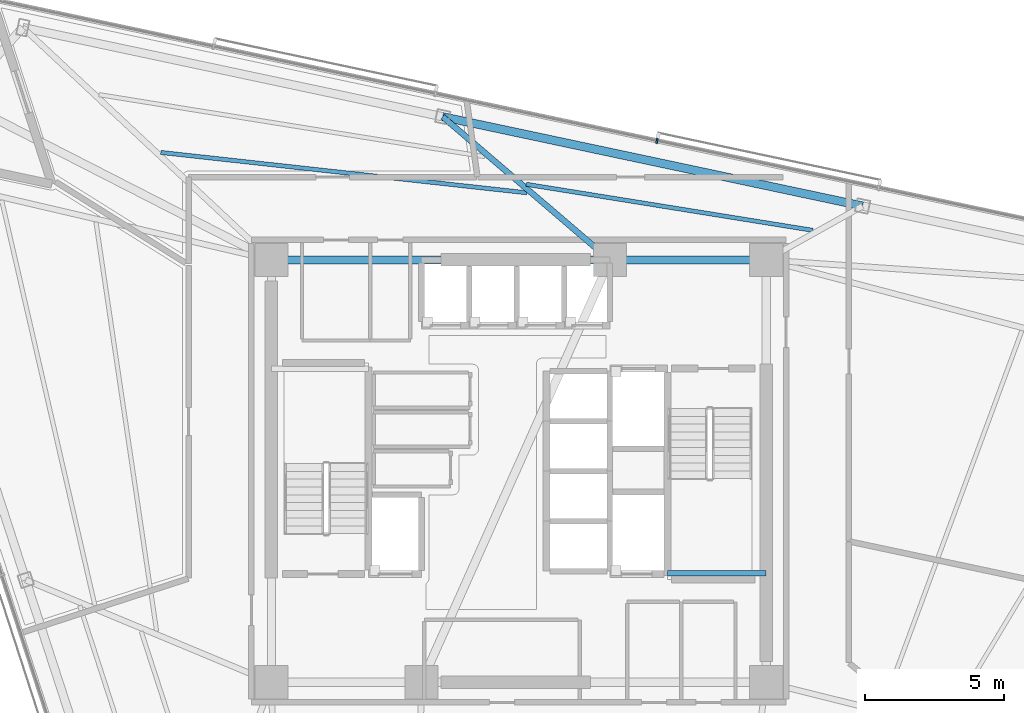
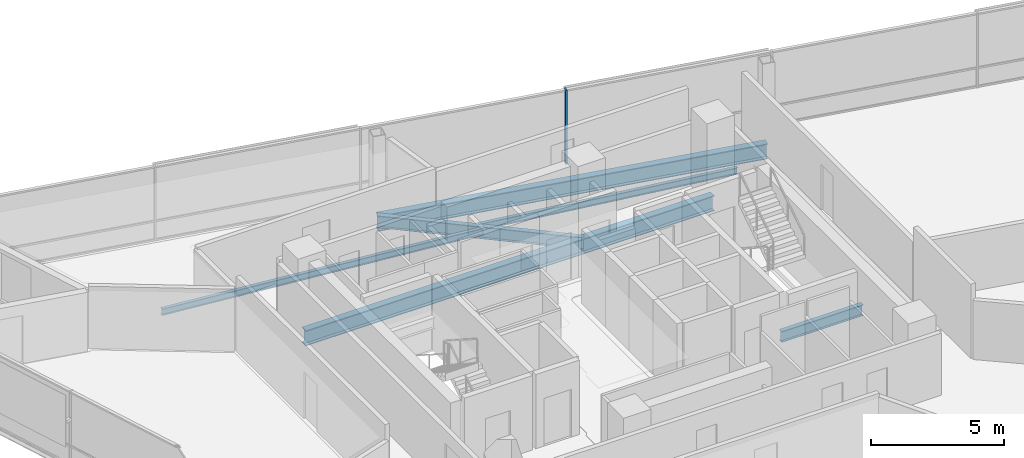
# One storey, part 6 of 17: 7 beams, 1 member, 1 element without a shape of its own.
"""IFC4 building model written with IfcOpenShell, lengths in metres."""

from ifc_helpers import new_model, si_unit, direction, frame, origin, origin_2d, place, context, subcontext, project, spatial, rectangle, i_section, extrude, material, layer, layer_set, material_profile, profile_set, type_object, element, aggregate, save


model = new_model("IFC4")

# Units and contexts
model_context = context("Model", 3, precision=1e-05, world=origin(), true_north=direction((0.0, 1.0)))
body_context = subcontext(model_context, "Body", "Model", "MODEL_VIEW")
ifc_project = project(units=[si_unit("LENGTHUNIT", "METRE"), si_unit("AREAUNIT", "SQUARE_METRE"), si_unit("VOLUMEUNIT", "CUBIC_METRE"), si_unit("PLANEANGLEUNIT", "RADIAN"), si_unit("MASSUNIT", "GRAM", prefix="KILO")], contexts=[model_context])

# Site, building, storey
site_placement = place(None, origin())
site = spatial("IfcSite", under=ifc_project, at=site_placement, CompositionType="ELEMENT")
building_placement = place(site_placement, origin())
building = spatial("IfcBuilding", under=site, at=building_placement, Name="Tharavind Bronze Gate", CompositionType="ELEMENT")
storey_placement = place(building_placement, frame((0.0, 0.0, 207.64990234375)))
storey = spatial("IfcBuildingStorey", under=building, at=storey_placement, Name="L53", CompositionType="ELEMENT", Elevation=207.64990234375)

# Curtain wall, member
ifc_material_1 = material(Name="Anodised Bronze Aluminium", Category="aluminium")
ifc_layer = layer(ifc_material_1, 0.219970703125)
ifc_layer_set = layer_set([ifc_layer], Name="Anodised Bronze Aluminium")
curtain_wall_type = type_object("IfcCurtainWallType", Name="UNITISED CURTAIN WALL MID OFFICE", PredefinedType="USERDEFINED", material=ifc_layer_set)
curtain_wall_placement = place(storey_placement, origin())
curtain_wall = element("IfcCurtainWall", 1, at=curtain_wall_placement, inside=storey, type_object=curtain_wall_type, Name="L53 unitised curtain wall mid office CW-L53-S3", ObjectType="UNITISED CURTAIN WALL", PredefinedType="USERDEFINED")
member_type = type_object("IfcMemberType", Name="CURTAIN WALL BRONZE MULLION 65X180", PredefinedType="MULLION", material=ifc_material_1)
member_placement = place(storey_placement, frame((4.97265625, 11.880615234375, 0.000244140625), z_axis=(0.0, 0.0, 1.0), x_axis=(-0.978147600734, 0.207911690818, 0.0)))
member = element("IfcMember", 2, at=member_placement, type_object=member_type, Name="CW-L53-S3 mullion 4", PredefinedType="MULLION", context=body_context, shape_type="SweptSolid", body=[
    extrude(rectangle(XDim=0.06494140625, YDim=0.179931640625, at=origin_2d()), origin(), (0.0, 0.0, 1.0), 3.419921875),
])
aggregate(curtain_wall, [member])

# Beams
ifc_material_2 = material(Name="Steel S355", Category="steel")
ifc_material_profile_1 = material_profile(ifc_material_2, i_section(OverallWidth=0.199951171875, OverallDepth=0.5, WebThickness=0.01025390625, FlangeThickness=0.01611328125, at=origin_2d()), Name="IPE500")
ifc_profile_set_1 = profile_set([ifc_material_profile_1], Name="Steel S355")
beam_type_1 = type_object("IfcBeamType", Name="PRIMARY GIRDER IPE500", PredefinedType="USERDEFINED", material=ifc_profile_set_1)
beam_1_placement = place(storey_placement, frame((5.35009765625, -3.679931640625, 1.35009765625), z_axis=(1.0, 0.0, 0.0), x_axis=(0.0, 1.0, 0.0)))
element("IfcBeam", 3, at=beam_1_placement, inside=storey, type_object=beam_type_1, Name="L53 primary girder ipe500 BM-LD-ST2-L53-1", ObjectType="GIRDER", PredefinedType="USERDEFINED", context=body_context, shape_type="SweptSolid", body=[
    extrude(i_section(OverallWidth=0.199951171875, OverallDepth=0.5, WebThickness=0.01025390625, FlangeThickness=0.01611328125, at=origin_2d()), origin(), (0.0, 0.0, 1.0), 3.5498046875),
])
ifc_material_profile_2 = material_profile(ifc_material_2, i_section(OverallWidth=0.2099609375, OverallDepth=0.550048828125, WebThickness=0.010986328125, FlangeThickness=0.01708984375, at=origin_2d()), Name="IPE550")
ifc_profile_set_2 = profile_set([ifc_material_profile_2], Name="Steel S355")
beam_type_2 = type_object("IfcBeamType", Name="PRIMARY GIRDER IPE550", PredefinedType="USERDEFINED", material=ifc_profile_set_2)
beam_2_placement = place(storey_placement, frame((-2.737060546875, 12.752685546875, -0.454833984375), z_axis=(0.75956325699, -0.650433439048, 0.0), x_axis=(0.650433439048, 0.75956325699, 0.0)))
element("IfcBeam", 4, at=beam_2_placement, inside=storey, type_object=beam_type_2, Name="L53 primary girder ipe550 BM-L53-RAD11", ObjectType="GIRDER", PredefinedType="USERDEFINED", context=body_context, shape_type="SweptSolid", body=[
    extrude(i_section(OverallWidth=0.2099609375, OverallDepth=0.550048828125, WebThickness=0.010986328125, FlangeThickness=0.01708984375, at=origin_2d()), origin(), (0.0, 0.0, 1.0), 7.921875),
])
ifc_material_profile_3 = material_profile(ifc_material_2, i_section(OverallWidth=0.300048828125, OverallDepth=0.699951171875, WebThickness=0.01708984375, FlangeThickness=0.031982421875, at=origin_2d()), Name="HE700B")
ifc_profile_set_3 = profile_set([ifc_material_profile_3], Name="Steel S355")
beam_type_3 = type_object("IfcBeamType", Name="RING GIRDER HE700B", PredefinedType="USERDEFINED", material=ifc_profile_set_3)
beam_3_placement = place(storey_placement, frame((8.89990234375, 7.60009765625, -0.52978515625), z_axis=(-1.0, 0.0, 0.0), x_axis=(0.0, -1.0, 0.0)))
element("IfcBeam", 5, at=beam_3_placement, inside=storey, type_object=beam_type_3, Name="L53 ring girder he700b BM-L53-CR4", ObjectType="GIRDER", PredefinedType="USERDEFINED", context=body_context, shape_type="SweptSolid", body=[
    extrude(i_section(OverallWidth=0.300048828125, OverallDepth=0.699951171875, WebThickness=0.01708984375, FlangeThickness=0.031982421875, at=origin_2d()), origin(), (0.0, 0.0, 1.0), 5.619873046875),
])
beam_4_placement = place(storey_placement, frame((3.280029296875, 7.60009765625, -0.52978515625), z_axis=(-1.0, 0.0, 0.0), x_axis=(0.0, -1.0, 0.0)))
element("IfcBeam", 6, at=beam_4_placement, inside=storey, type_object=beam_type_3, Name="L53 ring girder he700b BM-L53-CR5", ObjectType="GIRDER", PredefinedType="USERDEFINED", context=body_context, shape_type="SweptSolid", body=[
    extrude(i_section(OverallWidth=0.300048828125, OverallDepth=0.699951171875, WebThickness=0.01708984375, FlangeThickness=0.031982421875, at=origin_2d()), origin(), (0.0, 0.0, 1.0), 12.179931640625),
])
beam_5_placement = place(storey_placement, frame((12.370849609375, 9.54150390625, -0.52978515625), z_axis=(-0.978148967388, 0.207905261111, 0.0), x_axis=(-0.207905261111, -0.978148967388, 0.0)))
element("IfcBeam", 7, at=beam_5_placement, inside=storey, type_object=beam_type_3, Name="L53 ring girder he700b BM-L53-PRG10", ObjectType="GIRDER", PredefinedType="USERDEFINED", context=body_context, shape_type="SweptSolid", body=[
    extrude(i_section(OverallWidth=0.300048828125, OverallDepth=0.699951171875, WebThickness=0.01708984375, FlangeThickness=0.031982421875, at=origin_2d()), origin(), (0.0, 0.0, 1.0), 15.4453125),
])
ifc_material_profile_4 = material_profile(ifc_material_2, i_section(OverallWidth=0.14990234375, OverallDepth=0.300048828125, WebThickness=0.007080078125, FlangeThickness=0.0107421875, at=origin_2d()), Name="IPE300")
ifc_profile_set_4 = profile_set([ifc_material_profile_4], Name="Steel S355")
beam_type_4 = type_object("IfcBeamType", Name="SECONDARY FLOOR JOIST IPE300", PredefinedType="JOIST", material=ifc_profile_set_4)
beam_6_placement = place(storey_placement, frame((10.585693359375, 8.666015625, -0.329833984375), z_axis=(-0.987341344636, 0.158609801627, 0.0), x_axis=(-0.158609801627, -0.987341344636, 0.0)))
element("IfcBeam", 8, at=beam_6_placement, inside=storey, type_object=beam_type_4, Name="L53 secondary floor joist ipe300 BM-L53-JSTA10", PredefinedType="JOIST", context=body_context, shape_type="SweptSolid", body=[
    extrude(i_section(OverallWidth=0.14990234375, OverallDepth=0.300048828125, WebThickness=0.007080078125, FlangeThickness=0.0107421875, at=origin_2d()), origin(), (0.0, 0.0, 1.0), 10.45458984375),
])
beam_7_placement = place(storey_placement, frame((0.292724609375, 10.016845703125, -0.329833984375), z_axis=(-0.993975491992, 0.109602560737, 0.0), x_axis=(-0.109602560737, -0.993975491992, 0.0)))
element("IfcBeam", 9, at=beam_7_placement, inside=storey, type_object=beam_type_4, Name="L53 secondary floor joist ipe300 BM-L53-JSTA11", PredefinedType="JOIST", context=body_context, shape_type="SweptSolid", body=[
    extrude(i_section(OverallWidth=0.14990234375, OverallDepth=0.300048828125, WebThickness=0.007080078125, FlangeThickness=0.0107421875, at=origin_2d()), origin(), (0.0, 0.0, 1.0), 13.253662109375),
])

save(model, "model.ifc")
